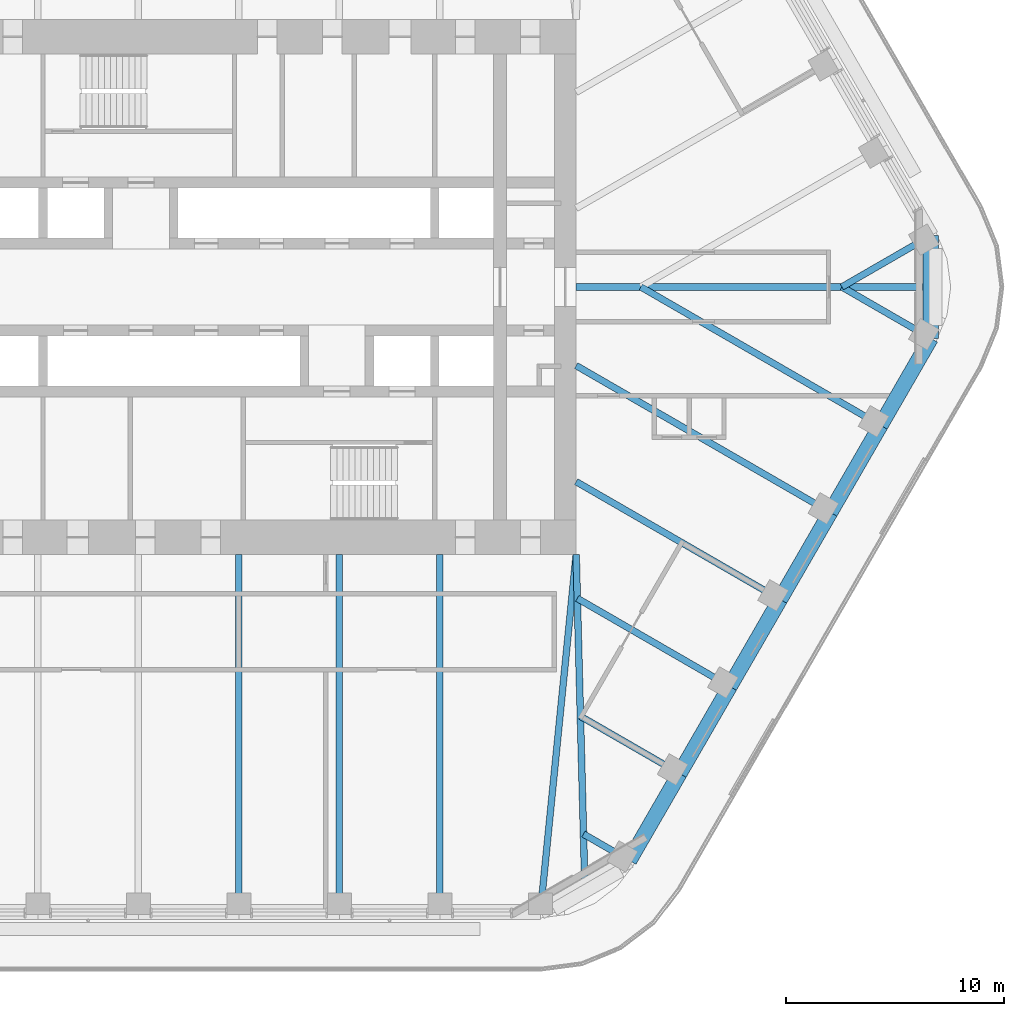
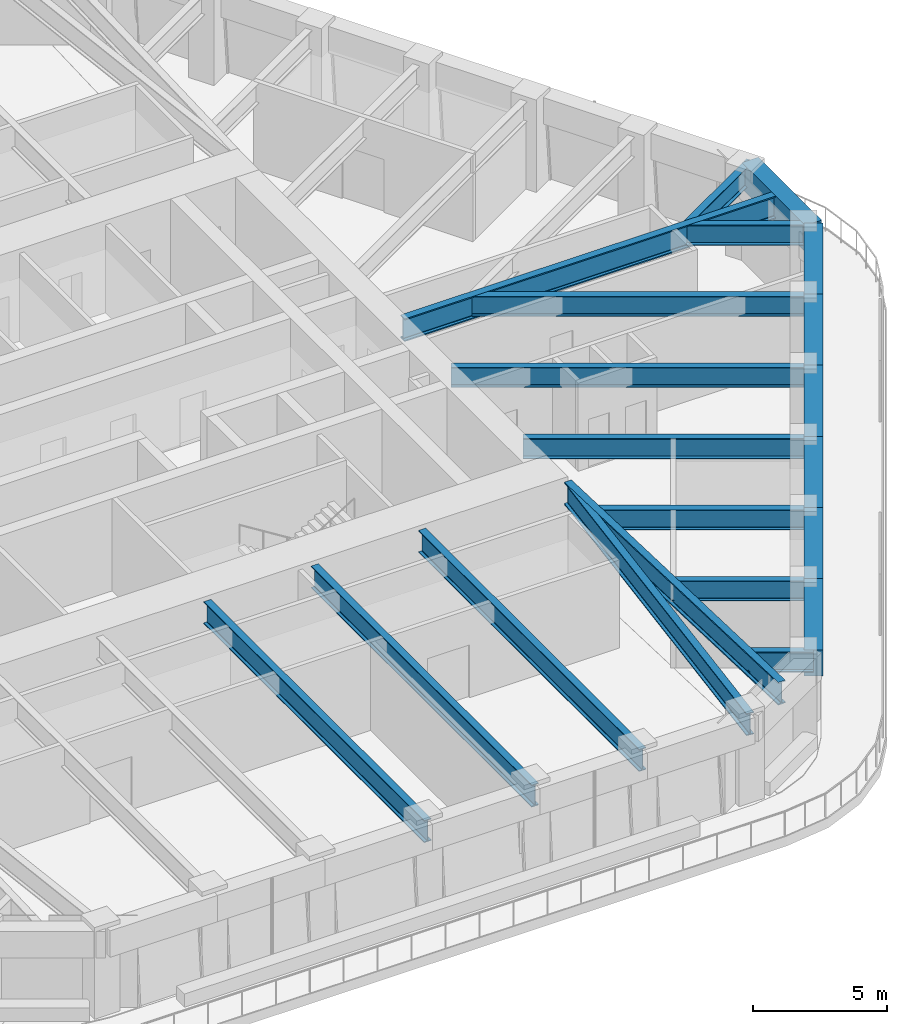
# One storey, part 5 of 20: 21 beams.
"""IFC4 building model written with IfcOpenShell, lengths in metres."""

import ifcopenshell
import ifcopenshell.guid

model = None  # the IFC model being written
_history = None  # IfcOwnerHistory: only IFC2X3 demands one
_inside = {}  # id of a spatial element -> (the spatial element, [elements in it])
_under = {}  # id of a project, library or spatial element -> (it, [spatial elements below it])
_declared = {}  # id of a project -> (the project, [libraries it declares])
_typed = {}  # id of a type object -> (the type object, [elements of that type])
_made_of = {}  # id of a material, layer set ... -> (it, [elements and type objects made of it])


def new_model(schema):
    """Start an empty IFC model of exactly this schema.

    Asked for "IFC4X3", IfcOpenShell would pick the latest addendum, in which some entities
    have other attributes; the version numbers below select the first issue.
    IFC2X3 requires an IfcOwnerHistory on every rooted entity: one is made here for all.
    """
    global model, _history
    if schema == "IFC4X3":
        model = ifcopenshell.file(schema_version=(4, 3, 0, 0))
    else:
        model = ifcopenshell.file(schema=schema)
    _inside.clear()
    _under.clear()
    _declared.clear()
    _typed.clear()
    _made_of.clear()
    _history = None
    if model.schema == "IFC2X3":
        org = make("IfcOrganization", Name="unknown")
        user = make(
            "IfcPersonAndOrganization",
            ThePerson=make("IfcPerson", FamilyName="unknown"),
            TheOrganization=org,
        )
        app = make(
            "IfcApplication",
            ApplicationDeveloper=org,
            Version="unknown",
            ApplicationFullName="unknown",
            ApplicationIdentifier="unknown",
        )
        _history = make(
            "IfcOwnerHistory",
            OwningUser=user,
            OwningApplication=app,
            ChangeAction="ADDED",
            CreationDate=0,
        )
    return model


def make(cls, **values):
    """One entity of the class cls with the attributes given. An attribute that is None is left unset."""
    return model.create_entity(
        cls, **{name: value for name, value in values.items() if value is not None}
    )


def rooted(cls, **values):
    """An entity with a GlobalId (a new one), such as an element, a storey or a relation."""
    return make(cls, GlobalId=ifcopenshell.guid.new(), OwnerHistory=_history, **values)


def si_unit(unit_type, name, prefix=None):
    """IfcSIUnit, for example si_unit("LENGTHUNIT", "METRE", prefix="MILLI")."""
    return make("IfcSIUnit", UnitType=unit_type, Prefix=prefix, Name=name)


def assignment(units):
    """IfcUnitAssignment: the units of a project."""
    return None if units is None else make("IfcUnitAssignment", Units=units)


def point(xyz):
    """IfcCartesianPoint."""
    return None if xyz is None else make("IfcCartesianPoint", Coordinates=xyz)


def direction(xyz):
    """IfcDirection."""
    return None if xyz is None else make("IfcDirection", DirectionRatios=xyz)


def frame(location, z_axis=None, x_axis=None):
    """IfcAxis2Placement3D, a coordinate frame: its origin and axes. An axis left out is left unset."""
    return make(
        "IfcAxis2Placement3D",
        Location=point(location),
        Axis=direction(z_axis),
        RefDirection=direction(x_axis),
    )


def frame_2d(location, x_axis=None):
    """IfcAxis2Placement2D, a coordinate frame in the plane: its origin and x axis."""
    return make(
        "IfcAxis2Placement2D", Location=point(location), RefDirection=direction(x_axis)
    )


def origin():
    """The frame at (0, 0, 0) with its axes left unset."""
    return frame((0.0, 0.0, 0.0))


def origin_2d():
    """The frame at (0, 0) in the plane with its x axis left unset."""
    return frame_2d((0.0, 0.0))


def place(relative_to, where):
    """IfcLocalPlacement: puts the frame where relative to a parent placement (None: the world)."""
    return make(
        "IfcLocalPlacement", PlacementRelTo=relative_to, RelativePlacement=where
    )


def context(
    kind, dimensions, precision=None, world=None, true_north=None, identifier=None
):
    """IfcGeometricRepresentationContext, for example the 3D "Model" context."""
    return make(
        "IfcGeometricRepresentationContext",
        ContextIdentifier=identifier,
        ContextType=kind,
        CoordinateSpaceDimension=dimensions,
        Precision=precision,
        WorldCoordinateSystem=world,
        TrueNorth=true_north,
    )


def subcontext(parent, identifier, kind, view, scale=None):
    """IfcGeometricRepresentationSubContext, for example "Body" below "Model"."""
    return make(
        "IfcGeometricRepresentationSubContext",
        ContextIdentifier=identifier,
        ContextType=kind,
        ParentContext=parent,
        TargetScale=scale,
        TargetView=view,
    )


def project(units=None, contexts=None):
    """IfcProject with its units and contexts."""
    return rooted(
        "IfcProject",
        Name="project",
        RepresentationContexts=contexts,
        UnitsInContext=assignment(units),
    )


def spatial(cls, under=None, at=None, **own):
    """A site, building, storey or space (cls), placed at a placement, below another one or the project."""
    s = rooted(cls, ObjectPlacement=at, **own)
    if under is not None:
        _under.setdefault(under.id(), (under, []))[1].append(s)
    return s


def profile(cls, at=None, kind="AREA", **sizes):
    """A parametric profile (cls). Its sizes go by their IFC names, for example OverallWidth=200.0."""
    return make(cls, ProfileType=kind, Position=at, **sizes)


def rectangle(**sizes):
    """IfcRectangleProfileDef."""
    return profile("IfcRectangleProfileDef", **sizes)


def i_section(**sizes):
    """IfcIShapeProfileDef."""
    return profile("IfcIShapeProfileDef", **sizes)


def extrude(swept, where, along, depth):
    """IfcExtrudedAreaSolid: the profile swept, set in the frame where, extruded along a direction by depth."""
    return make(
        "IfcExtrudedAreaSolid",
        SweptArea=swept,
        Position=where,
        ExtrudedDirection=direction(along),
        Depth=depth,
    )


def shape(context_of_items, identifier, shape_type, items):
    """IfcShapeRepresentation: the items that make up one representation, for example the "Body"."""
    return make(
        "IfcShapeRepresentation",
        ContextOfItems=context_of_items,
        RepresentationIdentifier=identifier,
        RepresentationType=shape_type,
        Items=items,
    )


def material(Name=None, Category=None):
    """IfcMaterial."""
    return make("IfcMaterial", Name=Name, Category=Category)


def material_profile(
    of_material, cross_section, Name=None, Category=None, Priority=None
):
    """IfcMaterialProfile: a cross section and its material."""
    return make(
        "IfcMaterialProfile",
        Name=Name,
        Material=of_material,
        Profile=cross_section,
        Priority=Priority,
        Category=Category,
    )


def profile_set(profiles, Name=None, composite=None):
    """IfcMaterialProfileSet."""
    return make(
        "IfcMaterialProfileSet",
        Name=Name,
        MaterialProfiles=profiles,
        CompositeProfile=composite,
    )


def made_of(thing, what):
    """Note that an element or type object is made of a material, layer set ...; save() writes the relation."""
    if what is not None:
        _made_of.setdefault(what.id(), (what, []))[1].append(thing)
    return thing


def type_object(cls, material=None, **own):
    """A type object (cls), such as IfcWallType, which elements share."""
    return made_of(rooted(cls, **own), material)


def element(
    cls,
    number,
    at=None,
    inside=None,
    cuts=None,
    type_object=None,
    material=None,
    context=None,
    identifier="Body",
    shape_type=None,
    held_by="IfcProductDefinitionShape",
    body=None,
    shapes=None,
    **own,
):
    """One element of the class cls, such as IfcWall. Its Tag is "e" and its number.

    at: its placement. inside: the storey or other place that contains it. cuts: it is an
    opening in that element (IfcRelVoidsElement). A single representation is given by context,
    identifier, shape_type and body (its items); several are given by shapes. held_by: the class
    of the entity that holds the representations. save() writes the other relations.
    """
    e = rooted(cls, Tag="e%d" % number, ObjectPlacement=at, **own)
    if body is not None:
        shapes = [shape(context, identifier, shape_type, body)]
    if shapes is not None:
        e.Representation = make(held_by, Representations=shapes)
    if inside is not None:
        _inside.setdefault(inside.id(), (inside, []))[1].append(e)
    if cuts is not None:
        rooted(
            "IfcRelVoidsElement", RelatingBuildingElement=cuts, RelatedOpeningElement=e
        )
    if type_object is not None:
        _typed.setdefault(type_object.id(), (type_object, []))[1].append(e)
    return made_of(e, material)


def aggregate(whole, parts):
    """IfcRelAggregates: a whole, such as a stair, and the parts it consists of."""
    return rooted("IfcRelAggregates", RelatingObject=whole, RelatedObjects=parts)


def save(model, path):
    """Write the relations noted so far, then the file.

    IfcRelAggregates (storeys below a building ...), IfcRelContainedInSpatialStructure (elements
    in a storey), IfcRelDefinesByType, IfcRelAssociatesMaterial and IfcRelDeclares: one each for
    every whole, place, type object, material and project.
    """
    for whole, parts in _under.values():
        aggregate(whole, parts)
    for where, things in _inside.values():
        rooted(
            "IfcRelContainedInSpatialStructure",
            RelatedElements=things,
            RelatingStructure=where,
        )
    for kind, things in _typed.values():
        rooted("IfcRelDefinesByType", RelatedObjects=things, RelatingType=kind)
    for what, things in _made_of.values():
        rooted("IfcRelAssociatesMaterial", RelatedObjects=things, RelatingMaterial=what)
    for by, libraries in _declared.values():
        rooted("IfcRelDeclares", RelatingContext=by, RelatedDefinitions=libraries)
    model.write(path)


model = new_model("IFC4")

# Units and contexts
model_context = context("Model", 3, precision=1e-05, world=origin(), true_north=direction((0.0, 1.0)))
body_context = subcontext(model_context, "Body", "Model", "MODEL_VIEW")
ifc_project = project(units=[si_unit("LENGTHUNIT", "METRE"), si_unit("AREAUNIT", "SQUARE_METRE"), si_unit("VOLUMEUNIT", "CUBIC_METRE"), si_unit("PLANEANGLEUNIT", "RADIAN"), si_unit("MASSUNIT", "GRAM", prefix="KILO")], contexts=[model_context])

# Site, building, storey
site_placement = place(None, origin())
site = spatial("IfcSite", under=ifc_project, at=site_placement, CompositionType="ELEMENT")
building_placement = place(site_placement, origin())
building = spatial("IfcBuilding", under=site, at=building_placement, Name="Tarfa Lantern Tower", CompositionType="ELEMENT")
storey_placement = place(building_placement, frame((0.0, 0.0, 282.699951171875)))
storey = spatial("IfcBuildingStorey", under=building, at=storey_placement, Name="L64", CompositionType="ELEMENT", Elevation=282.699951171875)

# Beams
ifc_material_1 = material(Name="Concrete C80/95", Category="concrete")
ifc_material_profile_1 = material_profile(ifc_material_1, rectangle(XDim=0.699951171875, YDim=1.199951171875, at=origin_2d()), Name="RC 700x1200")
ifc_profile_set_1 = profile_set([ifc_material_profile_1], Name="Concrete C80/95")
beam_type_1 = type_object("IfcBeamType", Name="EB3 RC 700x1200", PredefinedType="SPANDREL", material=ifc_profile_set_1)
for number, where, z_axis, x_axis, name in (
    (1, (17.944091796875, -26.360107421875, 3.400146484375), (0.499987836815, 0.866032426089, 0.0), (-0.866032426089, 0.499987836815, 0.0), "Edge beam SE0"),
    (2, (20.25341796875, -22.360107421875, 3.400146484375), (0.499987836815, 0.866032426089, 0.0), (-0.866032426089, 0.499987836815, 0.0), "Edge beam SE1"),
):
    element("IfcBeam", number, at=place(storey_placement, frame(where, z_axis=z_axis, x_axis=x_axis)), inside=storey, type_object=beam_type_1, Name=name, PredefinedType="SPANDREL", context=body_context, shape_type="SweptSolid", body=[
        extrude(rectangle(XDim=0.699951171875, YDim=1.199951171875, at=origin_2d()), origin(), (0.0, 0.0, 1.0), 4.61865234375),
    ])
beam_1_placement = place(storey_placement, frame((22.562744140625, -18.360107421875, 3.400146484375), z_axis=(0.500027479704, 0.866009537788, 0.0), x_axis=(-0.866009537788, 0.500027479704, 0.0)))
element("IfcBeam", 3, at=beam_1_placement, inside=storey, type_object=beam_type_1, Name="Edge beam SE2", PredefinedType="SPANDREL", context=body_context, shape_type="SweptSolid", body=[
    extrude(rectangle(XDim=0.699951171875, YDim=1.199951171875, at=origin_2d()), origin(), (0.0, 0.0, 1.0), 4.618896484375),
])
for number, where, z_axis, x_axis, name in (
    (4, (24.872314453125, -14.360107421875, 3.400146484375), (0.499987836815, 0.866032426089, 0.0), (-0.866032426089, 0.499987836815, 0.0), "Edge beam SE3"),
    (5, (27.181640625, -10.360107421875, 3.400146484375), (0.499987836815, 0.866032426089, 0.0), (-0.866032426089, 0.499987836815, 0.0), "Edge beam SE4"),
):
    element("IfcBeam", number, at=place(storey_placement, frame(where, z_axis=z_axis, x_axis=x_axis)), inside=storey, type_object=beam_type_1, Name=name, PredefinedType="SPANDREL", context=body_context, shape_type="SweptSolid", body=[
        extrude(rectangle(XDim=0.699951171875, YDim=1.199951171875, at=origin_2d()), origin(), (0.0, 0.0, 1.0), 4.61865234375),
    ])
beam_2_placement = place(storey_placement, frame((29.490966796875, -6.360107421875, 3.400146484375), z_axis=(0.500027479704, 0.866009537788, 0.0), x_axis=(-0.866009537788, 0.500027479704, 0.0)))
element("IfcBeam", 6, at=beam_2_placement, inside=storey, type_object=beam_type_1, Name="Edge beam SE5", PredefinedType="SPANDREL", context=body_context, shape_type="SweptSolid", body=[
    extrude(rectangle(XDim=0.699951171875, YDim=1.199951171875, at=origin_2d()), origin(), (0.0, 0.0, 1.0), 4.618896484375),
])
beam_3_placement = place(storey_placement, frame((31.800537109375, -2.360107421875, 3.400146484375), z_axis=(0.0, 1.0, 0.0), x_axis=(-1.0, 0.0, 0.0)))
element("IfcBeam", 7, at=beam_3_placement, inside=storey, type_object=beam_type_1, Name="Edge beam SE6", PredefinedType="SPANDREL", context=body_context, shape_type="SweptSolid", body=[
    extrude(rectangle(XDim=0.699951171875, YDim=1.199951171875, at=origin_2d()), origin(), (0.0, 0.0, 1.0), 4.72021484375),
])
ifc_material_2 = material(Name="Steel S460M", Category="steel")
ifc_material_profile_2 = material_profile(ifc_material_2, i_section(OverallWidth=0.302001953125, OverallDepth=1.008056640625, WebThickness=0.02099609375, FlangeThickness=0.0400390625, FilletRadius=0.030029296875, at=origin_2d()), Name="UB1016x305x349")
ifc_profile_set_2 = profile_set([ifc_material_profile_2], Name="Steel S460M")
beam_type_2 = type_object("IfcBeamType", Name="UB1016x305x349", PredefinedType="BEAM", material=ifc_profile_set_2)
for number, where, z_axis, x_axis, name in (
    (8, (0.0, -28.719970703125, 3.49609375), (0.0, 1.0, 0.0), (-1.0, 0.0, 0.0), "Floor beam S3"),
    (9, (4.618896484375, -28.719970703125, 3.49609375), (0.0, 1.0, 0.0), (-1.0, 0.0, 0.0), "Floor beam S4"),
    (10, (9.237548828125, -28.719970703125, 3.49609375), (0.0, 1.0, 0.0), (-1.0, 0.0, 0.0), "Floor beam S5"),
):
    element("IfcBeam", number, at=place(storey_placement, frame(where, z_axis=z_axis, x_axis=x_axis)), inside=storey, type_object=beam_type_2, Name=name, PredefinedType="BEAM", context=body_context, shape_type="SweptSolid", body=[
        extrude(i_section(OverallWidth=0.302001953125, OverallDepth=1.008056640625, WebThickness=0.02099609375, FlangeThickness=0.0400390625, FilletRadius=0.030029296875, at=origin_2d()), origin(), (0.0, 0.0, 1.0), 16.419921875),
    ])
beam_4_placement = place(storey_placement, frame((13.8564453125, -28.719970703125, 3.49609375), z_axis=(0.099597466746, 0.995027810977, 0.0), x_axis=(-0.995027810977, 0.099597466746, 0.0)))
element("IfcBeam", 11, at=beam_4_placement, inside=storey, type_object=beam_type_2, Name="Floor beam S6", PredefinedType="BEAM", context=body_context, shape_type="SweptSolid", body=[
    extrude(i_section(OverallWidth=0.302001953125, OverallDepth=1.008056640625, WebThickness=0.02099609375, FlangeThickness=0.0400390625, FilletRadius=0.030029296875, at=origin_2d()), origin(), (0.0, 0.0, 1.0), 16.501953125),
])
ifc_material_profile_3 = material_profile(ifc_material_2, i_section(OverallWidth=0.30859375, OverallDepth=1.036376953125, WebThickness=0.030029296875, FlangeThickness=0.05419921875, FilletRadius=0.030029296875, at=origin_2d()), Name="UB1016x305x487")
ifc_profile_set_3 = profile_set([ifc_material_profile_3], Name="Steel S460M")
beam_type_3 = type_object("IfcBeamType", Name="UB1016x305x487", PredefinedType="BEAM", material=ifc_profile_set_3)
beam_5_placement = place(storey_placement, frame((15.5, 0.0, 3.48193359375), z_axis=(1.0, 0.0, 0.0), x_axis=(0.0, 1.0, 0.0)))
element("IfcBeam", 12, at=beam_5_placement, inside=storey, type_object=beam_type_3, Name="Hip girder E", PredefinedType="BEAM", context=body_context, shape_type="SweptSolid", body=[
    extrude(i_section(OverallWidth=0.30859375, OverallDepth=1.036376953125, WebThickness=0.030029296875, FlangeThickness=0.05419921875, FilletRadius=0.030029296875, at=origin_2d()), origin(), (0.0, 0.0, 1.0), 16.300537109375),
])
beam_6_placement = place(storey_placement, frame((15.5, -12.300048828125, 3.48193359375), z_axis=(0.026247301989, -0.999655480222, 0.0), x_axis=(0.999655480222, 0.026247301989, 0.0)))
element("IfcBeam", 13, at=beam_6_placement, inside=storey, type_object=beam_type_3, Name="Hip girder SE", PredefinedType="BEAM", context=body_context, shape_type="SweptSolid", body=[
    extrude(i_section(OverallWidth=0.30859375, OverallDepth=1.036376953125, WebThickness=0.030029296875, FlangeThickness=0.05419921875, FilletRadius=0.030029296875, at=origin_2d()), origin(), (0.0, 0.0, 1.0), 15.245361328125),
])
ifc_material_profile_4 = material_profile(ifc_material_2, i_section(OverallWidth=0.305419921875, OverallDepth=0.91845703125, WebThickness=0.017333984375, FlangeThickness=0.02783203125, FilletRadius=0.01904296875, at=origin_2d()), Name="UB914x305x253")
ifc_profile_set_4 = profile_set([ifc_material_profile_4], Name="Steel S460M")
beam_type_4 = type_object("IfcBeamType", Name="UB914x305x253", PredefinedType="BEAM", material=ifc_profile_set_4)
beam_7_placement = place(storey_placement, frame((31.800537109375, 2.360107421875, 3.540771484375), z_axis=(-0.866015897305, -0.500016465344, 0.0), x_axis=(0.500016465344, -0.866015897305, 0.0)))
element("IfcBeam", 14, at=beam_7_placement, inside=storey, type_object=beam_type_4, Name="Floor beam NE0", PredefinedType="BEAM", context=body_context, shape_type="SweptSolid", body=[
    extrude(i_section(OverallWidth=0.305419921875, OverallDepth=0.91845703125, WebThickness=0.017333984375, FlangeThickness=0.02783203125, FilletRadius=0.01904296875, at=origin_2d()), origin(), (0.0, 0.0, 1.0), 4.719970703125),
])
beam_8_placement = place(storey_placement, frame((17.944091796875, -26.360107421875, 3.540771484375), z_axis=(-0.865980009423, 0.5000786171, 0.0), x_axis=(-0.5000786171, -0.865980009423, 0.0)))
element("IfcBeam", 15, at=beam_8_placement, inside=storey, type_object=beam_type_4, Name="Floor beam SE0", PredefinedType="BEAM", context=body_context, shape_type="SweptSolid", body=[
    extrude(i_section(OverallWidth=0.305419921875, OverallDepth=0.91845703125, WebThickness=0.017333984375, FlangeThickness=0.02783203125, FilletRadius=0.01904296875, at=origin_2d()), origin(), (0.0, 0.0, 1.0), 2.4326171875),
])
beam_9_placement = place(storey_placement, frame((20.25341796875, -22.360107421875, 3.540771484375), z_axis=(-0.86601951648, 0.500010196972, 0.0), x_axis=(-0.500010196972, -0.86601951648, 0.0)))
element("IfcBeam", 16, at=beam_9_placement, inside=storey, type_object=beam_type_4, Name="Floor beam SE1", PredefinedType="BEAM", context=body_context, shape_type="SweptSolid", body=[
    extrude(i_section(OverallWidth=0.305419921875, OverallDepth=0.91845703125, WebThickness=0.017333984375, FlangeThickness=0.02783203125, FilletRadius=0.01904296875, at=origin_2d()), origin(), (0.0, 0.0, 1.0), 5.263671875),
])
beam_10_placement = place(storey_placement, frame((22.562744140625, -18.360107421875, 3.540771484375), z_axis=(-0.866010787764, 0.500025314835, 0.0), x_axis=(-0.500025314835, -0.866010787764, 0.0)))
element("IfcBeam", 17, at=beam_10_placement, inside=storey, type_object=beam_type_4, Name="Floor beam SE2", PredefinedType="BEAM", context=body_context, shape_type="SweptSolid", body=[
    extrude(i_section(OverallWidth=0.305419921875, OverallDepth=0.91845703125, WebThickness=0.017333984375, FlangeThickness=0.02783203125, FilletRadius=0.01904296875, at=origin_2d()), origin(), (0.0, 0.0, 1.0), 8.09423828125),
])
beam_11_placement = place(storey_placement, frame((24.872314453125, -14.360107421875, 3.540771484375), z_axis=(-0.8660244219, 0.500001700669, 0.0), x_axis=(-0.500001700669, -0.8660244219, 0.0)))
element("IfcBeam", 18, at=beam_11_placement, inside=storey, type_object=beam_type_4, Name="Floor beam SE3", PredefinedType="BEAM", context=body_context, shape_type="SweptSolid", body=[
    extrude(i_section(OverallWidth=0.305419921875, OverallDepth=0.91845703125, WebThickness=0.017333984375, FlangeThickness=0.02783203125, FilletRadius=0.01904296875, at=origin_2d()), origin(), (0.0, 0.0, 1.0), 10.822265625),
])
beam_12_placement = place(storey_placement, frame((27.181640625, -10.360107421875, 3.540771484375), z_axis=(-0.866018002818, 0.500012818631, 0.0), x_axis=(-0.500012818631, -0.866018002818, 0.0)))
element("IfcBeam", 19, at=beam_12_placement, inside=storey, type_object=beam_type_4, Name="Floor beam SE4", PredefinedType="BEAM", context=body_context, shape_type="SweptSolid", body=[
    extrude(i_section(OverallWidth=0.305419921875, OverallDepth=0.91845703125, WebThickness=0.017333984375, FlangeThickness=0.02783203125, FilletRadius=0.01904296875, at=origin_2d()), origin(), (0.0, 0.0, 1.0), 13.489013671875),
])
beam_13_placement = place(storey_placement, frame((29.490966796875, -6.360107421875, 3.540771484375), z_axis=(-0.866022258038, 0.500005448553, 0.0), x_axis=(-0.500005448553, -0.866022258038, 0.0)))
element("IfcBeam", 20, at=beam_13_placement, inside=storey, type_object=beam_type_4, Name="Floor beam SE5", PredefinedType="BEAM", context=body_context, shape_type="SweptSolid", body=[
    extrude(i_section(OverallWidth=0.305419921875, OverallDepth=0.91845703125, WebThickness=0.017333984375, FlangeThickness=0.02783203125, FilletRadius=0.01904296875, at=origin_2d()), origin(), (0.0, 0.0, 1.0), 12.719970703125),
])
beam_14_placement = place(storey_placement, frame((31.800537109375, -2.360107421875, 3.540771484375), z_axis=(-0.866015897305, 0.500016465344, 0.0), x_axis=(-0.500016465344, -0.866015897305, 0.0)))
element("IfcBeam", 21, at=beam_14_placement, inside=storey, type_object=beam_type_4, Name="Floor beam SE6", PredefinedType="BEAM", context=body_context, shape_type="SweptSolid", body=[
    extrude(i_section(OverallWidth=0.305419921875, OverallDepth=0.91845703125, WebThickness=0.017333984375, FlangeThickness=0.02783203125, FilletRadius=0.01904296875, at=origin_2d()), origin(), (0.0, 0.0, 1.0), 4.719970703125),
])

save(model, "model.ifc")
